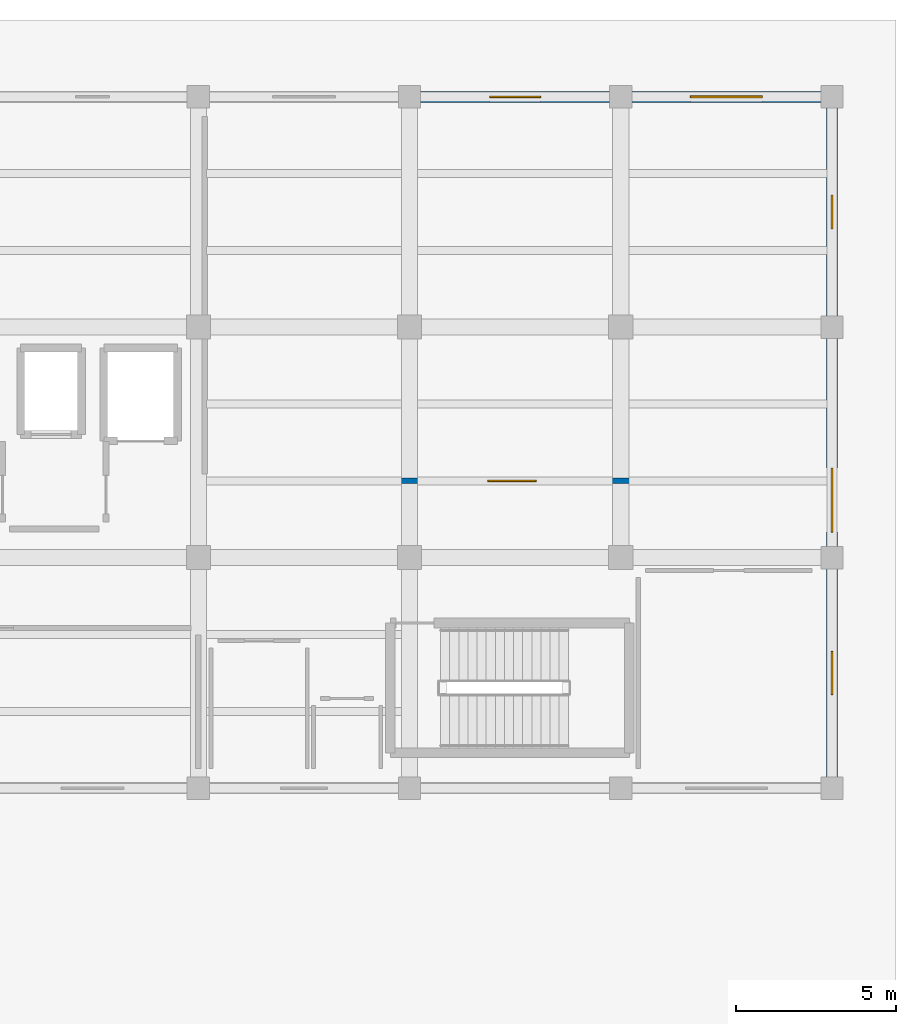
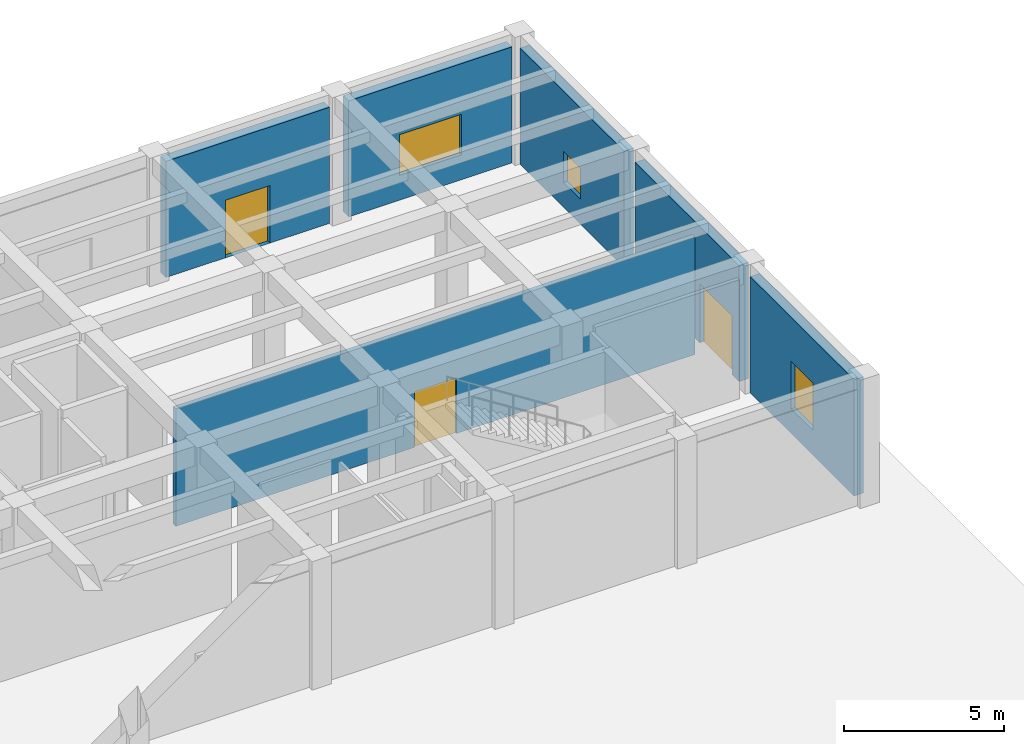
# One storey, part 49 of 57: 6 walls, 3 doors, 3 windows, 6 openings.
"""IFC4 building model written with IfcOpenShell, lengths in metres."""

from ifc_helpers import new_model, si_unit, direction, frame, frame_2d, origin, place, context, subcontext, project, spatial, rectangle, extrude, material, layer, layer_set, type_object, element, fill, save


model = new_model("IFC4")

# Units and contexts
model_context = context("Model", 3, precision=1e-05, world=origin(), true_north=direction((0.0, 1.0)))
body_context = subcontext(model_context, "Body", "Model", "MODEL_VIEW")
ifc_project = project(units=[si_unit("LENGTHUNIT", "METRE"), si_unit("AREAUNIT", "SQUARE_METRE"), si_unit("VOLUMEUNIT", "CUBIC_METRE"), si_unit("PLANEANGLEUNIT", "RADIAN"), si_unit("MASSUNIT", "GRAM", prefix="KILO")], contexts=[model_context])

# Site, building, storey
site_placement = place(None, origin())
site = spatial("IfcSite", under=ifc_project, at=site_placement, CompositionType="ELEMENT")
building_placement = place(site_placement, origin())
building = spatial("IfcBuilding", under=site, at=building_placement, Name="Kharisveld Research Institute", CompositionType="ELEMENT")
storey_placement = place(building_placement, origin())
storey = spatial("IfcBuildingStorey", under=building, at=storey_placement, Name="L00", CompositionType="ELEMENT", Elevation=0.0)

# Wall, opening, door
ifc_material_1 = material(Name="Concrete C35/45", Category="concrete")
ifc_layer_1 = layer(ifc_material_1, 0.340087890625)
ifc_layer_set_1 = layer_set([ifc_layer_1], Name="WL_EXT_340")
wall_type_1 = type_object("IfcWallType", Name="WL_EXT_340", PredefinedType="SOLIDWALL", material=ifc_layer_set_1)
wall_1_placement = place(storey_placement, frame((147.945068359375, 60.800048828125, 0.0), z_axis=(0.0, 0.0, 1.0), x_axis=(1.0, 0.0, 0.0)))
wall_1 = element("IfcWall", 1, at=wall_1_placement, inside=storey, type_object=wall_type_1, Name="WL:V2:L00:N5", PredefinedType="SOLIDWALL", context=body_context, shape_type="SweptSolid", body=[
    extrude(rectangle(XDim=5.909912109375, YDim=0.340087890625, at=frame_2d((2.955078125, 0.0))), origin(), (0.0, 0.0, 1.0), 4.43505859375),
])
opening_1_placement = place(wall_1_placement, frame((2.155029296875, 0.0, 0.0)))
opening_1 = element("IfcOpeningElement", 2, at=opening_1_placement, cuts=wall_1, Name="Opening DE-010", PredefinedType="OPENING", context=body_context, shape_type="SweptSolid", body=[
    extrude(rectangle(XDim=1.60009765625, YDim=2.199951171875, at=frame_2d((0.800048828125, 1.10009765625))), frame((0.0, 0.169921875, 0.0), z_axis=(0.0, -1.0, 0.0), x_axis=(1.0, 0.0, 0.0)), (0.0, 0.0, 1.0), 0.340087890625),
])
ifc_material_2 = material(Name="Thermally Broken Powder-Coated Aluminium", Category="aluminium")
door_type_1 = type_object("IfcDoorType", Name="DR_EXT_160", OperationType="DOUBLE_DOOR_SINGLE_SWING", PredefinedType="DOOR", material=ifc_material_2)
door_1_placement = place(opening_1_placement, origin())
door_1 = element("IfcDoor", 3, at=door_1_placement, inside=storey, type_object=door_type_1, Name="DR:V2:L00:EXIT_N5", OperationType="DOUBLE_DOOR_SINGLE_SWING", OverallHeight=2.199951171875, OverallWidth=1.60009765625, PredefinedType="DOOR", context=body_context, shape_type="SweptSolid", body=[
    extrude(rectangle(XDim=1.60009765625, YDim=2.199951171875, at=frame_2d((0.800048828125, 1.10009765625))), frame((0.0, 0.02490234375, 0.0), z_axis=(0.0, -1.0, 0.0), x_axis=(1.0, 0.0, 0.0)), (0.0, 0.0, 1.0), 0.050048828125),
])
fill(opening_1, door_1)

# Wall, opening, window
wall_2_placement = place(storey_placement, frame((154.544921875, 60.800048828125, 0.0), z_axis=(0.0, 0.0, 1.0), x_axis=(1.0, 0.0, 0.0)))
wall_2 = element("IfcWall", 4, at=wall_2_placement, inside=storey, type_object=wall_type_1, Name="WL:V2:L00:N6", PredefinedType="SOLIDWALL", context=body_context, shape_type="SweptSolid", body=[
    extrude(rectangle(XDim=5.91015625, YDim=0.340087890625, at=frame_2d((2.955078125, 0.0))), origin(), (0.0, 0.0, 1.0), 4.43505859375),
])
opening_2_placement = place(wall_2_placement, frame((1.830078125, 0.0, 0.949951171875)))
opening_2 = element("IfcOpeningElement", 5, at=opening_2_placement, cuts=wall_2, Name="Opening WN-14", PredefinedType="OPENING", context=body_context, shape_type="SweptSolid", body=[
    extrude(rectangle(XDim=2.25, YDim=1.550048828125, at=frame_2d((1.125, 0.77490234375))), frame((0.0, 0.169921875, 0.0), z_axis=(0.0, -1.0, 0.0), x_axis=(1.0, 0.0, 0.0)), (0.0, 0.0, 1.0), 0.340087890625),
])
ifc_material_3 = material(Name="Low-E Double Glazing", Category="glass")
window_type_1 = type_object("IfcWindowType", Name="WN_14", PartitioningType="DOUBLE_PANEL_VERTICAL", PredefinedType="WINDOW", material=ifc_material_3)
window_1_placement = place(opening_2_placement, origin())
window_1 = element("IfcWindow", 6, at=window_1_placement, inside=storey, type_object=window_type_1, Name="WN:V2:L00:N6", OverallHeight=1.550048828125, OverallWidth=2.25, PartitioningType="SINGLE_PANEL", PredefinedType="WINDOW", context=body_context, shape_type="SweptSolid", body=[
    extrude(rectangle(XDim=2.25, YDim=1.550048828125, at=frame_2d((1.125, 0.77490234375))), frame((0.0, 0.030029296875, 0.0), z_axis=(0.0, -1.0, 0.0), x_axis=(1.0, 0.0, 0.0)), (0.0, 0.0, 1.0), 0.06005859375),
])
fill(opening_2, window_1)

wall_3_placement = place(storey_placement, frame((160.800048828125, 60.455078125, 0.0), z_axis=(0.0, 0.0, 1.0), x_axis=(0.0, -1.0, 0.0)))
wall_3 = element("IfcWall", 7, at=wall_3_placement, inside=storey, type_object=wall_type_1, Name="WL:V2:L00:E3", PredefinedType="SOLIDWALL", context=body_context, shape_type="SweptSolid", body=[
    extrude(rectangle(XDim=6.510009765625, YDim=0.340087890625, at=frame_2d((3.2548828125, 0.0))), origin(), (0.0, 0.0, 1.0), 4.43505859375),
])
opening_3_placement = place(wall_3_placement, frame((2.72998046875, 0.0, 0.949951171875)))
opening_3 = element("IfcOpeningElement", 8, at=opening_3_placement, cuts=wall_3, Name="Opening WN-11", PredefinedType="OPENING", context=body_context, shape_type="SweptSolid", body=[
    extrude(rectangle(XDim=1.050048828125, YDim=1.199951171875, at=frame_2d((0.52490234375, 0.60009765625))), frame((0.0, 0.169921875, 0.0), z_axis=(0.0, -1.0, 0.0), x_axis=(1.0, 0.0, 0.0)), (0.0, 0.0, 1.0), 0.340087890625),
])
ifc_material_4 = material(Name="Low-E Double Glazing", Category="glass")
window_type_2 = type_object("IfcWindowType", Name="WN_11", PartitioningType="SINGLE_PANEL", PredefinedType="WINDOW", material=ifc_material_4)
window_2_placement = place(opening_3_placement, origin())
window_2 = element("IfcWindow", 9, at=window_2_placement, inside=storey, type_object=window_type_2, Name="WN:V2:L00:E3", OverallHeight=1.199951171875, OverallWidth=1.050048828125, PartitioningType="SINGLE_PANEL", PredefinedType="WINDOW", context=body_context, shape_type="SweptSolid", body=[
    extrude(rectangle(XDim=1.050048828125, YDim=1.199951171875, at=frame_2d((0.52490234375, 0.60009765625))), frame((0.0, 0.030029296875, 0.0), z_axis=(0.0, -1.0, 0.0), x_axis=(1.0, 0.0, 0.0)), (0.0, 0.0, 1.0), 0.06005859375),
])
fill(opening_3, window_2)

# Wall, opening, door
wall_4_placement = place(storey_placement, frame((160.800048828125, 53.2548828125, 0.0), z_axis=(0.0, 0.0, 1.0), x_axis=(0.0, -1.0, 0.0)))
wall_4 = element("IfcWall", 10, at=wall_4_placement, inside=storey, type_object=wall_type_1, Name="WL:V2:L00:E2", PredefinedType="SOLIDWALL", context=body_context, shape_type="SweptSolid", body=[
    extrude(rectangle(XDim=6.509765625, YDim=0.340087890625, at=frame_2d((3.2548828125, 0.0))), origin(), (0.0, 0.0, 1.0), 4.43505859375),
])
opening_4_placement = place(wall_4_placement, frame((4.06005859375, 0.0, 0.0)))
opening_4 = element("IfcOpeningElement", 11, at=opening_4_placement, cuts=wall_4, Name="Opening DE-011", PredefinedType="OPENING", context=body_context, shape_type="SweptSolid", body=[
    extrude(rectangle(XDim=2.0, YDim=2.25, at=frame_2d((1.0, 1.125))), frame((0.0, 0.169921875, 0.0), z_axis=(0.0, -1.0, 0.0), x_axis=(1.0, 0.0, 0.0)), (0.0, 0.0, 1.0), 0.340087890625),
])
ifc_material_5 = material(Name="Thermally Broken Powder-Coated Aluminium", Category="aluminium")
door_type_2 = type_object("IfcDoorType", Name="DR_EXT_200", OperationType="DOUBLE_DOOR_SINGLE_SWING", PredefinedType="DOOR", material=ifc_material_5)
door_2_placement = place(opening_4_placement, origin())
door_2 = element("IfcDoor", 12, at=door_2_placement, inside=storey, type_object=door_type_2, Name="DR:V2:L00:EXIT_E2", OperationType="DOUBLE_DOOR_SINGLE_SWING", OverallHeight=2.25, OverallWidth=2.0, PredefinedType="DOOR", context=body_context, shape_type="SweptSolid", body=[
    extrude(rectangle(XDim=2.0, YDim=2.25, at=frame_2d((1.0, 1.125))), frame((0.0, 0.02490234375, 0.0), z_axis=(0.0, -1.0, 0.0), x_axis=(1.0, 0.0, 0.0)), (0.0, 0.0, 1.0), 0.050048828125),
])
fill(opening_4, door_2)

# Wall, opening, window
wall_5_placement = place(storey_placement, frame((160.800048828125, 46.054931640625, 0.0), z_axis=(0.0, 0.0, 1.0), x_axis=(0.0, -1.0, 0.0)))
wall_5 = element("IfcWall", 13, at=wall_5_placement, inside=storey, type_object=wall_type_1, Name="WL:V2:L00:E1", PredefinedType="SOLIDWALL", context=body_context, shape_type="SweptSolid", body=[
    extrude(rectangle(XDim=6.510009765625, YDim=0.340087890625, at=frame_2d((3.2548828125, 0.0))), origin(), (0.0, 0.0, 1.0), 4.43505859375),
])
opening_5_placement = place(wall_5_placement, frame((2.580078125, 0.0, 0.949951171875)))
opening_5 = element("IfcOpeningElement", 14, at=opening_5_placement, cuts=wall_5, Name="Opening WN-09", PredefinedType="OPENING", context=body_context, shape_type="SweptSolid", body=[
    extrude(rectangle(XDim=1.35009765625, YDim=1.800048828125, at=frame_2d((0.675048828125, 0.89990234375))), frame((0.0, 0.169921875, 0.0), z_axis=(0.0, -1.0, 0.0), x_axis=(1.0, 0.0, 0.0)), (0.0, 0.0, 1.0), 0.340087890625),
])
ifc_material_6 = material(Name="Low-E Double Glazing", Category="glass")
window_type_3 = type_object("IfcWindowType", Name="WN_09", PartitioningType="SINGLE_PANEL", PredefinedType="WINDOW", material=ifc_material_6)
window_3_placement = place(opening_5_placement, origin())
window_3 = element("IfcWindow", 15, at=window_3_placement, inside=storey, type_object=window_type_3, Name="WN:V2:L00:E1", OverallHeight=1.800048828125, OverallWidth=1.35009765625, PartitioningType="SINGLE_PANEL", PredefinedType="WINDOW", context=body_context, shape_type="SweptSolid", body=[
    extrude(rectangle(XDim=1.35009765625, YDim=1.800048828125, at=frame_2d((0.675048828125, 0.89990234375))), frame((0.0, 0.030029296875, 0.0), z_axis=(0.0, -1.0, 0.0), x_axis=(1.0, 0.0, 0.0)), (0.0, 0.0, 1.0), 0.06005859375),
])
fill(opening_5, window_3)

# Wall, opening, door
ifc_material_7 = material(Name="Acoustic Drywall Partition", Category="mineral")
ifc_layer_2 = layer(ifc_material_7, 0.1650390625)
ifc_layer_set_2 = layer_set([ifc_layer_2], Name="WL_LAB_165")
wall_type_2 = type_object("IfcWallType", Name="WL_LAB_165", PredefinedType="PARTITIONING", material=ifc_layer_set_2)
wall_6_placement = place(storey_placement, frame((141.419921875, 48.800048828125, 0.0), z_axis=(0.0, 0.0, 1.0), x_axis=(1.0, 0.0, 0.0)))
wall_6 = element("IfcWall", 16, at=wall_6_placement, inside=storey, type_object=wall_type_2, Name="WL:RM:V2:L00:WL0B:S", PredefinedType="PARTITIONING", context=body_context, shape_type="SweptSolid", body=[
    extrude(rectangle(XDim=18.760009765625, YDim=0.1650390625, at=frame_2d((9.3798828125, 0.0))), origin(), (0.0, 0.0, 1.0), 4.485107421875),
])
opening_6_placement = place(wall_6_placement, frame((8.625, 0.0, 0.0)))
opening_6 = element("IfcOpeningElement", 17, at=opening_6_placement, cuts=wall_6, Name="Opening DI-189", PredefinedType="OPENING", context=body_context, shape_type="SweptSolid", body=[
    extrude(rectangle(XDim=1.510009765625, YDim=2.1201171875, at=frame_2d((0.7548828125, 1.06005859375))), frame((0.0, 0.08251953125, 0.0), z_axis=(0.0, -1.0, 0.0), x_axis=(1.0, 0.0, 0.0)), (0.0, 0.0, 1.0), 0.1650390625),
])
ifc_material_8 = material(Name="Flush Painted Hardwood and Anodised Aluminium", Category="wood")
door_type_3 = type_object("IfcDoorType", Name="DR_VAR_21", OperationType="NOTDEFINED", PredefinedType="DOOR", material=ifc_material_8)
door_3_placement = place(opening_6_placement, origin())
door_3 = element("IfcDoor", 18, at=door_3_placement, inside=storey, type_object=door_type_3, Name="DR:RM:V2:L00:WL0B:S", OperationType="SINGLE_SWING_LEFT", OverallHeight=2.1201171875, OverallWidth=1.510009765625, PredefinedType="DOOR", context=body_context, shape_type="SweptSolid", body=[
    extrude(rectangle(XDim=1.510009765625, YDim=2.1201171875, at=frame_2d((0.7548828125, 1.06005859375))), frame((0.0, 0.02490234375, 0.0), z_axis=(0.0, -1.0, 0.0), x_axis=(1.0, 0.0, 0.0)), (0.0, 0.0, 1.0), 0.050048828125),
])
fill(opening_6, door_3)

save(model, "model.ifc")
